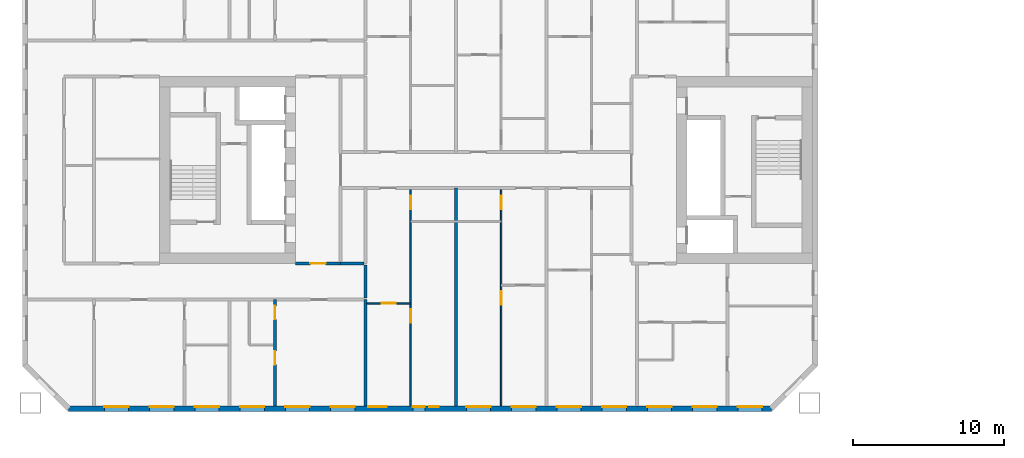
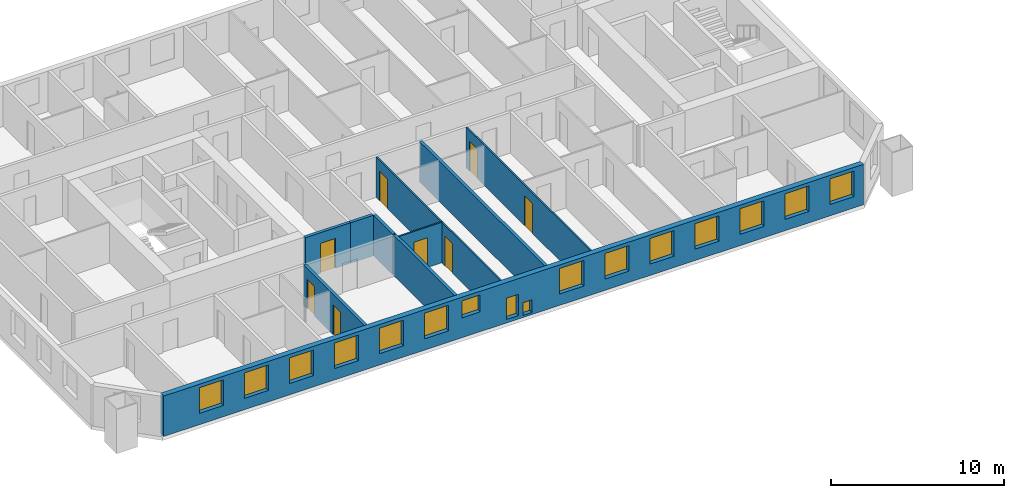
# One storey, part 3 of 16: 16 windows, 10 walls, 8 doors, 24 openings.
"""IFC4 building model written with IfcOpenShell, lengths in metres."""

from ifc_helpers import new_model, si_unit, direction, frame, frame_2d, origin, place, context, subcontext, project, spatial, rectangle, extrude, material, layer, layer_set, type_object, element, fill, save


model = new_model("IFC4")

# Units and contexts
model_context = context("Model", 3, precision=1e-05, world=origin(), true_north=direction((0.0, 1.0)))
body_context = subcontext(model_context, "Body", "Model", "MODEL_VIEW")
ifc_project = project(units=[si_unit("LENGTHUNIT", "METRE"), si_unit("AREAUNIT", "SQUARE_METRE"), si_unit("VOLUMEUNIT", "CUBIC_METRE"), si_unit("PLANEANGLEUNIT", "RADIAN"), si_unit("MASSUNIT", "GRAM", prefix="KILO")], contexts=[model_context])

# Site, building, storey
site_placement = place(None, origin())
site = spatial("IfcSite", under=ifc_project, at=site_placement, CompositionType="ELEMENT")
building_placement = place(site_placement, origin())
building = spatial("IfcBuilding", under=site, at=building_placement, Name="Tuart Gate Housing", CompositionType="ELEMENT")
storey_placement = place(building_placement, frame((0.0, 0.0, 87.10009765625)))
storey = spatial("IfcBuildingStorey", under=building, at=storey_placement, Name="L24", CompositionType="ELEMENT", Elevation=87.10009765625)

# Wall, openings, windows
ifc_material_1 = material(Name="Brick", Category="masonry")
ifc_layer_1 = layer(ifc_material_1, 0.360107421875)
ifc_layer_set_1 = layer_set([ifc_layer_1], Name="Brick pier and spandrel wall 360")
wall_type_1 = type_object("IfcWallType", Name="Brick pier and spandrel wall 360", PredefinedType="STANDARD", material=ifc_layer_set_1)
wall_1_placement = place(storey_placement, frame((26.32470703125, 54.179931640625, 0.0), z_axis=(0.0, 0.0, 1.0), x_axis=(1.0, 0.0, 0.0)))
wall_1 = element("IfcWall", 1, at=wall_1_placement, inside=storey, type_object=wall_type_1, Name="External wall A-S L24", PredefinedType="STANDARD", context=body_context, shape_type="SweptSolid", body=[
    extrude(rectangle(XDim=46.600830078125, YDim=0.360107421875, at=frame_2d((23.30029296875, 0.0))), origin(), (0.0, 0.0, 1.0), 2.849853515625),
])
opening_1_placement = place(wall_1_placement, frame((2.37548828125, 0.0, 0.800048828125)))
opening_1 = element("IfcOpeningElement", 2, at=opening_1_placement, cuts=wall_1, Name="Opening W1", PredefinedType="OPENING", context=body_context, shape_type="SweptSolid", body=[
    extrude(rectangle(XDim=1.60009765625, YDim=1.800048828125, at=frame_2d((0.800048828125, 0.89990234375))), frame((0.0, 0.18994140625, 0.0), z_axis=(0.0, -1.0, 0.0), x_axis=(1.0, 0.0, 0.0)), (0.0, 0.0, 1.0), 0.380126953125),
])
opening_2_placement = place(wall_1_placement, frame((5.37548828125, 0.0, 0.800048828125)))
opening_2 = element("IfcOpeningElement", 3, at=opening_2_placement, cuts=wall_1, Name="Opening W1", PredefinedType="OPENING", context=body_context, shape_type="SweptSolid", body=[
    extrude(rectangle(XDim=1.60009765625, YDim=1.800048828125, at=frame_2d((0.800048828125, 0.89990234375))), frame((0.0, 0.18994140625, 0.0), z_axis=(0.0, -1.0, 0.0), x_axis=(1.0, 0.0, 0.0)), (0.0, 0.0, 1.0), 0.380126953125),
])
opening_3_placement = place(wall_1_placement, frame((8.37548828125, 0.0, 0.800048828125)))
opening_3 = element("IfcOpeningElement", 4, at=opening_3_placement, cuts=wall_1, Name="Opening W1", PredefinedType="OPENING", context=body_context, shape_type="SweptSolid", body=[
    extrude(rectangle(XDim=1.60009765625, YDim=1.800048828125, at=frame_2d((0.800048828125, 0.89990234375))), frame((0.0, 0.18994140625, 0.0), z_axis=(0.0, -1.0, 0.0), x_axis=(1.0, 0.0, 0.0)), (0.0, 0.0, 1.0), 0.380126953125),
])
opening_4_placement = place(wall_1_placement, frame((11.37548828125, 0.0, 0.800048828125)))
opening_4 = element("IfcOpeningElement", 5, at=opening_4_placement, cuts=wall_1, Name="Opening W1", PredefinedType="OPENING", context=body_context, shape_type="SweptSolid", body=[
    extrude(rectangle(XDim=1.60009765625, YDim=1.800048828125, at=frame_2d((0.800048828125, 0.89990234375))), frame((0.0, 0.18994140625, 0.0), z_axis=(0.0, -1.0, 0.0), x_axis=(1.0, 0.0, 0.0)), (0.0, 0.0, 1.0), 0.380126953125),
])
opening_5_placement = place(wall_1_placement, frame((14.37548828125, 0.0, 0.800048828125)))
opening_5 = element("IfcOpeningElement", 6, at=opening_5_placement, cuts=wall_1, Name="Opening W1", PredefinedType="OPENING", context=body_context, shape_type="SweptSolid", body=[
    extrude(rectangle(XDim=1.60009765625, YDim=1.800048828125, at=frame_2d((0.800048828125, 0.89990234375))), frame((0.0, 0.18994140625, 0.0), z_axis=(0.0, -1.0, 0.0), x_axis=(1.0, 0.0, 0.0)), (0.0, 0.0, 1.0), 0.380126953125),
])
opening_6_placement = place(wall_1_placement, frame((17.37548828125, 0.0, 0.800048828125)))
opening_6 = element("IfcOpeningElement", 7, at=opening_6_placement, cuts=wall_1, Name="Opening W1", PredefinedType="OPENING", context=body_context, shape_type="SweptSolid", body=[
    extrude(rectangle(XDim=1.60009765625, YDim=1.800048828125, at=frame_2d((0.800048828125, 0.89990234375))), frame((0.0, 0.18994140625, 0.0), z_axis=(0.0, -1.0, 0.0), x_axis=(1.0, 0.0, 0.0)), (0.0, 0.0, 1.0), 0.380126953125),
])
opening_7_placement = place(wall_1_placement, frame((19.87548828125, 0.0, 1.39990234375)))
opening_7 = element("IfcOpeningElement", 8, at=opening_7_placement, cuts=wall_1, Name="Opening W1N", PredefinedType="OPENING", context=body_context, shape_type="SweptSolid", body=[
    extrude(rectangle(XDim=1.199951171875, YDim=1.199951171875, at=frame_2d((0.60009765625, 0.60009765625))), frame((0.0, 0.18994140625, 0.0), z_axis=(0.0, -1.0, 0.0), x_axis=(1.0, 0.0, 0.0)), (0.0, 0.0, 1.0), 0.380126953125),
])
opening_8_placement = place(wall_1_placement, frame((22.825439453125, 0.0, 0.25)))
opening_8 = element("IfcOpeningElement", 9, at=opening_8_placement, cuts=wall_1, Name="Opening W1J", PredefinedType="OPENING", context=body_context, shape_type="SweptSolid", body=[
    extrude(rectangle(XDim=0.800048828125, YDim=1.5, at=frame_2d((0.39990234375, 0.75))), frame((0.0, 0.18994140625, 0.0), z_axis=(0.0, -1.0, 0.0), x_axis=(1.0, 0.0, 0.0)), (0.0, 0.0, 1.0), 0.380126953125),
])
opening_9_placement = place(wall_1_placement, frame((26.37548828125, 0.0, 0.800048828125)))
opening_9 = element("IfcOpeningElement", 10, at=opening_9_placement, cuts=wall_1, Name="Opening W1", PredefinedType="OPENING", context=body_context, shape_type="SweptSolid", body=[
    extrude(rectangle(XDim=1.60009765625, YDim=1.800048828125, at=frame_2d((0.800048828125, 0.89990234375))), frame((0.0, 0.18994140625, 0.0), z_axis=(0.0, -1.0, 0.0), x_axis=(1.0, 0.0, 0.0)), (0.0, 0.0, 1.0), 0.380126953125),
])
opening_10_placement = place(wall_1_placement, frame((29.37548828125, 0.0, 0.800048828125)))
opening_10 = element("IfcOpeningElement", 11, at=opening_10_placement, cuts=wall_1, Name="Opening W1", PredefinedType="OPENING", context=body_context, shape_type="SweptSolid", body=[
    extrude(rectangle(XDim=1.60009765625, YDim=1.800048828125, at=frame_2d((0.800048828125, 0.89990234375))), frame((0.0, 0.18994140625, 0.0), z_axis=(0.0, -1.0, 0.0), x_axis=(1.0, 0.0, 0.0)), (0.0, 0.0, 1.0), 0.380126953125),
])
opening_11_placement = place(wall_1_placement, frame((32.37548828125, 0.0, 0.800048828125)))
opening_11 = element("IfcOpeningElement", 12, at=opening_11_placement, cuts=wall_1, Name="Opening W1", PredefinedType="OPENING", context=body_context, shape_type="SweptSolid", body=[
    extrude(rectangle(XDim=1.60009765625, YDim=1.800048828125, at=frame_2d((0.800048828125, 0.89990234375))), frame((0.0, 0.18994140625, 0.0), z_axis=(0.0, -1.0, 0.0), x_axis=(1.0, 0.0, 0.0)), (0.0, 0.0, 1.0), 0.380126953125),
])
opening_12_placement = place(wall_1_placement, frame((35.37548828125, 0.0, 0.800048828125)))
opening_12 = element("IfcOpeningElement", 13, at=opening_12_placement, cuts=wall_1, Name="Opening W1", PredefinedType="OPENING", context=body_context, shape_type="SweptSolid", body=[
    extrude(rectangle(XDim=1.60009765625, YDim=1.800048828125, at=frame_2d((0.800048828125, 0.89990234375))), frame((0.0, 0.18994140625, 0.0), z_axis=(0.0, -1.0, 0.0), x_axis=(1.0, 0.0, 0.0)), (0.0, 0.0, 1.0), 0.380126953125),
])
opening_13_placement = place(wall_1_placement, frame((38.37548828125, 0.0, 0.800048828125)))
opening_13 = element("IfcOpeningElement", 14, at=opening_13_placement, cuts=wall_1, Name="Opening W1", PredefinedType="OPENING", context=body_context, shape_type="SweptSolid", body=[
    extrude(rectangle(XDim=1.60009765625, YDim=1.800048828125, at=frame_2d((0.800048828125, 0.89990234375))), frame((0.0, 0.18994140625, 0.0), z_axis=(0.0, -1.0, 0.0), x_axis=(1.0, 0.0, 0.0)), (0.0, 0.0, 1.0), 0.380126953125),
])
opening_14_placement = place(wall_1_placement, frame((41.37548828125, 0.0, 0.800048828125)))
opening_14 = element("IfcOpeningElement", 15, at=opening_14_placement, cuts=wall_1, Name="Opening W1", PredefinedType="OPENING", context=body_context, shape_type="SweptSolid", body=[
    extrude(rectangle(XDim=1.60009765625, YDim=1.800048828125, at=frame_2d((0.800048828125, 0.89990234375))), frame((0.0, 0.18994140625, 0.0), z_axis=(0.0, -1.0, 0.0), x_axis=(1.0, 0.0, 0.0)), (0.0, 0.0, 1.0), 0.380126953125),
])
opening_15_placement = place(wall_1_placement, frame((44.37548828125, 0.0, 0.800048828125)))
opening_15 = element("IfcOpeningElement", 16, at=opening_15_placement, cuts=wall_1, Name="Opening W1", PredefinedType="OPENING", context=body_context, shape_type="SweptSolid", body=[
    extrude(rectangle(XDim=1.60009765625, YDim=1.800048828125, at=frame_2d((0.800048828125, 0.89990234375))), frame((0.0, 0.18994140625, 0.0), z_axis=(0.0, -1.0, 0.0), x_axis=(1.0, 0.0, 0.0)), (0.0, 0.0, 1.0), 0.380126953125),
])
opening_16_placement = place(wall_1_placement, frame((23.92529296875, 0.0, 0.14990234375)))
opening_16 = element("IfcOpeningElement", 17, at=opening_16_placement, cuts=wall_1, Name="Opening W1W", PredefinedType="OPENING", context=body_context, shape_type="SweptSolid", body=[
    extrude(rectangle(XDim=0.60009765625, YDim=0.89990234375, at=frame_2d((0.300048828125, 0.449951171875))), frame((0.0, 0.18994140625, 0.0), z_axis=(0.0, -1.0, 0.0), x_axis=(1.0, 0.0, 0.0)), (0.0, 0.0, 1.0), 0.380126953125),
])
ifc_material_2 = material(Name="Aluminium frame with clear glass", Category="aluminium")
window_type_1 = type_object("IfcWindowType", Name="Punched window 1200 x 1200", PartitioningType="SINGLE_PANEL", PredefinedType="WINDOW", material=ifc_material_2)
window_1_placement = place(opening_7_placement, origin())
window_1 = element("IfcWindow", 18, at=window_1_placement, inside=storey, type_object=window_type_1, Name="Window W1N", OverallHeight=1.199951171875, OverallWidth=1.199951171875, PartitioningType="SINGLE_PANEL", PredefinedType="WINDOW", context=body_context, shape_type="SweptSolid", body=[
    extrude(rectangle(XDim=1.199951171875, YDim=1.199951171875, at=frame_2d((0.60009765625, 0.60009765625))), frame((0.0, 0.150146484375, 0.0), z_axis=(0.0, -1.0, 0.0), x_axis=(1.0, 0.0, 0.0)), (0.0, 0.0, 1.0), 0.06005859375),
])
fill(opening_7, window_1)
ifc_material_3 = material(Name="Aluminium frame with clear glass", Category="aluminium")
window_type_2 = type_object("IfcWindowType", Name="Punched window 1600 x 1800", PartitioningType="SINGLE_PANEL", PredefinedType="WINDOW", material=ifc_material_3)
window_2_placement = place(opening_1_placement, origin())
window_2 = element("IfcWindow", 19, at=window_2_placement, inside=storey, type_object=window_type_2, Name="Window W1", OverallHeight=1.800048828125, OverallWidth=1.60009765625, PartitioningType="SINGLE_PANEL", PredefinedType="WINDOW", context=body_context, shape_type="SweptSolid", body=[
    extrude(rectangle(XDim=1.60009765625, YDim=1.800048828125, at=frame_2d((0.800048828125, 0.89990234375))), frame((0.0, 0.150146484375, 0.0), z_axis=(0.0, -1.0, 0.0), x_axis=(1.0, 0.0, 0.0)), (0.0, 0.0, 1.0), 0.06005859375),
])
fill(opening_1, window_2)
window_3_placement = place(opening_2_placement, origin())
window_3 = element("IfcWindow", 20, at=window_3_placement, inside=storey, type_object=window_type_2, Name="Window W1", OverallHeight=1.800048828125, OverallWidth=1.60009765625, PartitioningType="SINGLE_PANEL", PredefinedType="WINDOW", context=body_context, shape_type="SweptSolid", body=[
    extrude(rectangle(XDim=1.60009765625, YDim=1.800048828125, at=frame_2d((0.800048828125, 0.89990234375))), frame((0.0, 0.150146484375, 0.0), z_axis=(0.0, -1.0, 0.0), x_axis=(1.0, 0.0, 0.0)), (0.0, 0.0, 1.0), 0.06005859375),
])
fill(opening_2, window_3)
window_4_placement = place(opening_3_placement, origin())
window_4 = element("IfcWindow", 21, at=window_4_placement, inside=storey, type_object=window_type_2, Name="Window W1", OverallHeight=1.800048828125, OverallWidth=1.60009765625, PartitioningType="SINGLE_PANEL", PredefinedType="WINDOW", context=body_context, shape_type="SweptSolid", body=[
    extrude(rectangle(XDim=1.60009765625, YDim=1.800048828125, at=frame_2d((0.800048828125, 0.89990234375))), frame((0.0, 0.150146484375, 0.0), z_axis=(0.0, -1.0, 0.0), x_axis=(1.0, 0.0, 0.0)), (0.0, 0.0, 1.0), 0.06005859375),
])
fill(opening_3, window_4)
window_5_placement = place(opening_4_placement, origin())
window_5 = element("IfcWindow", 22, at=window_5_placement, inside=storey, type_object=window_type_2, Name="Window W1", OverallHeight=1.800048828125, OverallWidth=1.60009765625, PartitioningType="SINGLE_PANEL", PredefinedType="WINDOW", context=body_context, shape_type="SweptSolid", body=[
    extrude(rectangle(XDim=1.60009765625, YDim=1.800048828125, at=frame_2d((0.800048828125, 0.89990234375))), frame((0.0, 0.150146484375, 0.0), z_axis=(0.0, -1.0, 0.0), x_axis=(1.0, 0.0, 0.0)), (0.0, 0.0, 1.0), 0.06005859375),
])
fill(opening_4, window_5)
window_6_placement = place(opening_5_placement, origin())
window_6 = element("IfcWindow", 23, at=window_6_placement, inside=storey, type_object=window_type_2, Name="Window W1", OverallHeight=1.800048828125, OverallWidth=1.60009765625, PartitioningType="SINGLE_PANEL", PredefinedType="WINDOW", context=body_context, shape_type="SweptSolid", body=[
    extrude(rectangle(XDim=1.60009765625, YDim=1.800048828125, at=frame_2d((0.800048828125, 0.89990234375))), frame((0.0, 0.150146484375, 0.0), z_axis=(0.0, -1.0, 0.0), x_axis=(1.0, 0.0, 0.0)), (0.0, 0.0, 1.0), 0.06005859375),
])
fill(opening_5, window_6)
window_7_placement = place(opening_6_placement, origin())
window_7 = element("IfcWindow", 24, at=window_7_placement, inside=storey, type_object=window_type_2, Name="Window W1", OverallHeight=1.800048828125, OverallWidth=1.60009765625, PartitioningType="SINGLE_PANEL", PredefinedType="WINDOW", context=body_context, shape_type="SweptSolid", body=[
    extrude(rectangle(XDim=1.60009765625, YDim=1.800048828125, at=frame_2d((0.800048828125, 0.89990234375))), frame((0.0, 0.150146484375, 0.0), z_axis=(0.0, -1.0, 0.0), x_axis=(1.0, 0.0, 0.0)), (0.0, 0.0, 1.0), 0.06005859375),
])
fill(opening_6, window_7)
window_8_placement = place(opening_9_placement, origin())
window_8 = element("IfcWindow", 25, at=window_8_placement, inside=storey, type_object=window_type_2, Name="Window W1", OverallHeight=1.800048828125, OverallWidth=1.60009765625, PartitioningType="SINGLE_PANEL", PredefinedType="WINDOW", context=body_context, shape_type="SweptSolid", body=[
    extrude(rectangle(XDim=1.60009765625, YDim=1.800048828125, at=frame_2d((0.800048828125, 0.89990234375))), frame((0.0, 0.150146484375, 0.0), z_axis=(0.0, -1.0, 0.0), x_axis=(1.0, 0.0, 0.0)), (0.0, 0.0, 1.0), 0.06005859375),
])
fill(opening_9, window_8)
window_9_placement = place(opening_10_placement, origin())
window_9 = element("IfcWindow", 26, at=window_9_placement, inside=storey, type_object=window_type_2, Name="Window W1", OverallHeight=1.800048828125, OverallWidth=1.60009765625, PartitioningType="SINGLE_PANEL", PredefinedType="WINDOW", context=body_context, shape_type="SweptSolid", body=[
    extrude(rectangle(XDim=1.60009765625, YDim=1.800048828125, at=frame_2d((0.800048828125, 0.89990234375))), frame((0.0, 0.150146484375, 0.0), z_axis=(0.0, -1.0, 0.0), x_axis=(1.0, 0.0, 0.0)), (0.0, 0.0, 1.0), 0.06005859375),
])
fill(opening_10, window_9)
window_10_placement = place(opening_11_placement, origin())
window_10 = element("IfcWindow", 27, at=window_10_placement, inside=storey, type_object=window_type_2, Name="Window W1", OverallHeight=1.800048828125, OverallWidth=1.60009765625, PartitioningType="SINGLE_PANEL", PredefinedType="WINDOW", context=body_context, shape_type="SweptSolid", body=[
    extrude(rectangle(XDim=1.60009765625, YDim=1.800048828125, at=frame_2d((0.800048828125, 0.89990234375))), frame((0.0, 0.150146484375, 0.0), z_axis=(0.0, -1.0, 0.0), x_axis=(1.0, 0.0, 0.0)), (0.0, 0.0, 1.0), 0.06005859375),
])
fill(opening_11, window_10)
window_11_placement = place(opening_12_placement, origin())
window_11 = element("IfcWindow", 28, at=window_11_placement, inside=storey, type_object=window_type_2, Name="Window W1", OverallHeight=1.800048828125, OverallWidth=1.60009765625, PartitioningType="SINGLE_PANEL", PredefinedType="WINDOW", context=body_context, shape_type="SweptSolid", body=[
    extrude(rectangle(XDim=1.60009765625, YDim=1.800048828125, at=frame_2d((0.800048828125, 0.89990234375))), frame((0.0, 0.150146484375, 0.0), z_axis=(0.0, -1.0, 0.0), x_axis=(1.0, 0.0, 0.0)), (0.0, 0.0, 1.0), 0.06005859375),
])
fill(opening_12, window_11)
window_12_placement = place(opening_13_placement, origin())
window_12 = element("IfcWindow", 29, at=window_12_placement, inside=storey, type_object=window_type_2, Name="Window W1", OverallHeight=1.800048828125, OverallWidth=1.60009765625, PartitioningType="SINGLE_PANEL", PredefinedType="WINDOW", context=body_context, shape_type="SweptSolid", body=[
    extrude(rectangle(XDim=1.60009765625, YDim=1.800048828125, at=frame_2d((0.800048828125, 0.89990234375))), frame((0.0, 0.150146484375, 0.0), z_axis=(0.0, -1.0, 0.0), x_axis=(1.0, 0.0, 0.0)), (0.0, 0.0, 1.0), 0.06005859375),
])
fill(opening_13, window_12)
window_13_placement = place(opening_14_placement, origin())
window_13 = element("IfcWindow", 30, at=window_13_placement, inside=storey, type_object=window_type_2, Name="Window W1", OverallHeight=1.800048828125, OverallWidth=1.60009765625, PartitioningType="SINGLE_PANEL", PredefinedType="WINDOW", context=body_context, shape_type="SweptSolid", body=[
    extrude(rectangle(XDim=1.60009765625, YDim=1.800048828125, at=frame_2d((0.800048828125, 0.89990234375))), frame((0.0, 0.150146484375, 0.0), z_axis=(0.0, -1.0, 0.0), x_axis=(1.0, 0.0, 0.0)), (0.0, 0.0, 1.0), 0.06005859375),
])
fill(opening_14, window_13)
window_14_placement = place(opening_15_placement, origin())
window_14 = element("IfcWindow", 31, at=window_14_placement, inside=storey, type_object=window_type_2, Name="Window W1", OverallHeight=1.800048828125, OverallWidth=1.60009765625, PartitioningType="SINGLE_PANEL", PredefinedType="WINDOW", context=body_context, shape_type="SweptSolid", body=[
    extrude(rectangle(XDim=1.60009765625, YDim=1.800048828125, at=frame_2d((0.800048828125, 0.89990234375))), frame((0.0, 0.150146484375, 0.0), z_axis=(0.0, -1.0, 0.0), x_axis=(1.0, 0.0, 0.0)), (0.0, 0.0, 1.0), 0.06005859375),
])
fill(opening_15, window_14)
ifc_material_4 = material(Name="Aluminium frame with clear glass", Category="aluminium")
window_type_3 = type_object("IfcWindowType", Name="Punched window 600 x 900", PartitioningType="SINGLE_PANEL", PredefinedType="WINDOW", material=ifc_material_4)
window_15_placement = place(opening_16_placement, origin())
window_15 = element("IfcWindow", 32, at=window_15_placement, inside=storey, type_object=window_type_3, Name="Window W1W", OverallHeight=0.89990234375, OverallWidth=0.60009765625, PartitioningType="SINGLE_PANEL", PredefinedType="WINDOW", context=body_context, shape_type="SweptSolid", body=[
    extrude(rectangle(XDim=0.60009765625, YDim=0.89990234375, at=frame_2d((0.300048828125, 0.449951171875))), frame((0.0, 0.150146484375, 0.0), z_axis=(0.0, -1.0, 0.0), x_axis=(1.0, 0.0, 0.0)), (0.0, 0.0, 1.0), 0.06005859375),
])
fill(opening_16, window_15)
ifc_material_5 = material(Name="Aluminium frame with clear glass", Category="aluminium")
window_type_4 = type_object("IfcWindowType", Name="Punched window 800 x 1500", PartitioningType="SINGLE_PANEL", PredefinedType="WINDOW", material=ifc_material_5)
window_16_placement = place(opening_8_placement, origin())
window_16 = element("IfcWindow", 33, at=window_16_placement, inside=storey, type_object=window_type_4, Name="Window W1J", OverallHeight=1.5, OverallWidth=0.800048828125, PartitioningType="SINGLE_PANEL", PredefinedType="WINDOW", context=body_context, shape_type="SweptSolid", body=[
    extrude(rectangle(XDim=0.800048828125, YDim=1.5, at=frame_2d((0.39990234375, 0.75))), frame((0.0, 0.150146484375, 0.0), z_axis=(0.0, -1.0, 0.0), x_axis=(1.0, 0.0, 0.0)), (0.0, 0.0, 1.0), 0.06005859375),
])
fill(opening_8, window_16)

# Walls
ifc_material_6 = material(Name="Concrete masonry 15 MPa", Category="masonry")
ifc_layer_2 = layer(ifc_material_6, 0.199951171875)
ifc_layer_set_2 = layer_set([ifc_layer_2], Name="Corridor wall masonry 200")
wall_type_2 = type_object("IfcWallType", Name="Corridor wall masonry 200", PredefinedType="PARTITIONING", material=ifc_layer_set_2)
wall_2_placement = place(storey_placement, frame((44.360107421875, 63.800048828125, 0.0), z_axis=(0.0, 0.0, 1.0), x_axis=(1.0, 0.0, 0.0)))
element("IfcWall", 34, at=wall_2_placement, inside=storey, type_object=wall_type_2, Name="Corridor wall masonry 200", PredefinedType="PARTITIONING", context=body_context, shape_type="SweptSolid", body=[
    extrude(rectangle(XDim=1.539794921875, YDim=0.199951171875, at=frame_2d((0.77001953125, 0.0))), origin(), (0.0, 0.0, 1.0), 2.849853515625),
])
wall_3_placement = place(storey_placement, frame((46.0, 61.5, 0.0), z_axis=(0.0, 0.0, 1.0), x_axis=(0.0, 1.0, 0.0)))
element("IfcWall", 35, at=wall_3_placement, inside=storey, type_object=wall_type_2, Name="Corridor wall masonry 200", PredefinedType="PARTITIONING", context=body_context, shape_type="SweptSolid", body=[
    extrude(rectangle(XDim=2.199951171875, YDim=0.199951171875, at=frame_2d((1.10009765625, 0.0))), origin(), (0.0, 0.0, 1.0), 2.849853515625),
])

# Wall, opening, door
ifc_material_7 = material(Name="Concrete masonry 15 MPa", Category="masonry")
ifc_layer_3 = layer(ifc_material_7, 0.199951171875)
ifc_layer_set_3 = layer_set([ifc_layer_3], Name="Enclosure wall masonry 200")
wall_type_3 = type_object("IfcWallType", Name="Enclosure wall masonry 200", PredefinedType="PARTITIONING", material=ifc_layer_set_3)
wall_4_placement = place(storey_placement, frame((41.360107421875, 63.800048828125, 0.0), z_axis=(0.0, 0.0, 1.0), x_axis=(1.0, 0.0, 0.0)))
wall_4 = element("IfcWall", 36, at=wall_4_placement, inside=storey, type_object=wall_type_3, Name="Enclosure wall masonry 200", PredefinedType="PARTITIONING", context=body_context, shape_type="SweptSolid", body=[
    extrude(rectangle(XDim=3.0, YDim=0.199951171875, at=frame_2d((1.5, 0.0))), origin(), (0.0, 0.0, 1.0), 2.849853515625),
])
opening_17_placement = place(wall_4_placement, frame((1.0, 0.0, 0.0)))
opening_17 = element("IfcOpeningElement", 37, at=opening_17_placement, cuts=wall_4, Name="Opening D991", PredefinedType="OPENING", context=body_context, shape_type="SweptSolid", body=[
    extrude(rectangle(XDim=1.0, YDim=2.10009765625, at=frame_2d((0.5, 1.050048828125))), frame((0.0, 0.10986328125, 0.0), z_axis=(0.0, -1.0, 0.0), x_axis=(1.0, 0.0, 0.0)), (0.0, 0.0, 1.0), 0.219970703125),
])
ifc_material_8 = material(Name="Timber door leaf in steel frame", Category="steel")
door_type_1 = type_object("IfcDoorType", Name="Fire door 1000", OperationType="SINGLE_SWING_LEFT", PredefinedType="DOOR", material=ifc_material_8)
door_1_placement = place(opening_17_placement, frame((1.0, 0.0, 0.0), z_axis=(0.0, 0.0, 1.0), x_axis=(-1.0, 0.0, 0.0)))
door_1 = element("IfcDoor", 38, at=door_1_placement, inside=storey, type_object=door_type_1, Name="Fire door", OperationType="SINGLE_SWING_LEFT", OverallHeight=2.10009765625, OverallWidth=1.0, PredefinedType="DOOR", context=body_context, shape_type="SweptSolid", body=[
    extrude(rectangle(XDim=1.0, YDim=2.10009765625, at=frame_2d((0.5, 1.050048828125))), frame((0.0, 0.025146484375, 0.0), z_axis=(0.0, -1.0, 0.0), x_axis=(1.0, 0.0, 0.0)), (0.0, 0.0, 1.0), 0.050048828125),
])
fill(opening_17, door_1)

ifc_material_9 = material(Name="Gypsum board on steel studs", Category="steel")
ifc_layer_4 = layer(ifc_material_9, 0.10009765625)
ifc_layer_set_4 = layer_set([ifc_layer_4], Name="Partition 100")
wall_type_4 = type_object("IfcWallType", Name="Partition 100", PredefinedType="PARTITIONING", material=ifc_layer_set_4)
wall_5_placement = place(storey_placement, frame((46.10009765625, 61.159912109375, 0.0), z_axis=(0.0, 0.0, 1.0), x_axis=(1.0, 0.0, 0.0)))
wall_5 = element("IfcWall", 39, at=wall_5_placement, inside=storey, type_object=wall_type_4, Name="Partition 100", PredefinedType="PARTITIONING", context=body_context, shape_type="SweptSolid", body=[
    extrude(rectangle(XDim=2.89990234375, YDim=0.10009765625, at=frame_2d((1.449951171875, 0.0))), origin(), (0.0, 0.0, 1.0), 2.849853515625),
])
opening_18_placement = place(wall_5_placement, frame((1.0, 0.0, 0.0)))
opening_18 = element("IfcOpeningElement", 40, at=opening_18_placement, cuts=wall_5, Name="Opening D1003", PredefinedType="OPENING", context=body_context, shape_type="SweptSolid", body=[
    extrude(rectangle(XDim=0.89990234375, YDim=2.10009765625, at=frame_2d((0.449951171875, 1.050048828125))), frame((0.0, 0.06005859375, 0.0), z_axis=(0.0, -1.0, 0.0), x_axis=(1.0, 0.0, 0.0)), (0.0, 0.0, 1.0), 0.1201171875),
])
ifc_material_10 = material(Name="Timber door leaf in steel frame", Category="steel")
door_type_2 = type_object("IfcDoorType", Name="Internal door 900 RH", OperationType="SINGLE_SWING_RIGHT", PredefinedType="DOOR", material=ifc_material_10)
door_2_placement = place(opening_18_placement, origin())
door_2 = element("IfcDoor", 41, at=door_2_placement, inside=storey, type_object=door_type_2, Name="Internal door", OperationType="SINGLE_SWING_RIGHT", OverallHeight=2.10009765625, OverallWidth=0.89990234375, PredefinedType="DOOR", context=body_context, shape_type="SweptSolid", body=[
    extrude(rectangle(XDim=0.89990234375, YDim=2.10009765625, at=frame_2d((0.449951171875, 1.050048828125))), frame((0.0, 0.02490234375, 0.0), z_axis=(0.0, -1.0, 0.0), x_axis=(1.0, 0.0, 0.0)), (0.0, 0.0, 1.0), 0.050048828125),
])
fill(opening_18, door_2)

# Wall, openings, doors
wall_6_placement = place(storey_placement, frame((49.0, 54.360107421875, 0.0), z_axis=(0.0, 0.0, 1.0), x_axis=(0.0, 1.0, 0.0)))
wall_6 = element("IfcWall", 42, at=wall_6_placement, inside=storey, type_object=wall_type_4, Name="Partition 100", PredefinedType="PARTITIONING", context=body_context, shape_type="SweptSolid", body=[
    extrude(rectangle(XDim=14.33984375, YDim=0.10009765625, at=frame_2d((7.169921875, 0.0))), origin(), (0.0, 0.0, 1.0), 2.849853515625),
])
opening_19_placement = place(wall_6_placement, frame((5.5, 0.0, 0.0)))
opening_19 = element("IfcOpeningElement", 43, at=opening_19_placement, cuts=wall_6, Name="Opening D996", PredefinedType="OPENING", context=body_context, shape_type="SweptSolid", body=[
    extrude(rectangle(XDim=0.89990234375, YDim=2.10009765625, at=frame_2d((0.449951171875, 1.050048828125))), frame((0.0, 0.06005859375, 0.0), z_axis=(0.0, -1.0, 0.0), x_axis=(1.0, 0.0, 0.0)), (0.0, 0.0, 1.0), 0.1201171875),
])
opening_20_placement = place(wall_6_placement, frame((13.0400390625, 0.0, 0.0)))
opening_20 = element("IfcOpeningElement", 44, at=opening_20_placement, cuts=wall_6, Name="Opening D995", PredefinedType="OPENING", context=body_context, shape_type="SweptSolid", body=[
    extrude(rectangle(XDim=0.89990234375, YDim=2.10009765625, at=frame_2d((0.449951171875, 1.050048828125))), frame((0.0, 0.06005859375, 0.0), z_axis=(0.0, -1.0, 0.0), x_axis=(1.0, 0.0, 0.0)), (0.0, 0.0, 1.0), 0.1201171875),
])
ifc_material_11 = material(Name="Timber door leaf in steel frame", Category="steel")
door_type_3 = type_object("IfcDoorType", Name="Bathroom door 900", OperationType="SINGLE_SWING_LEFT", PredefinedType="DOOR", material=ifc_material_11)
door_3_placement = place(opening_20_placement, frame((0.89990234375, 0.0, 0.0), z_axis=(0.0, 0.0, 1.0), x_axis=(-1.0, 0.0, 0.0)))
door_3 = element("IfcDoor", 45, at=door_3_placement, inside=storey, type_object=door_type_3, Name="Bathroom door", OperationType="SINGLE_SWING_LEFT", OverallHeight=2.10009765625, OverallWidth=0.89990234375, PredefinedType="DOOR", context=body_context, shape_type="SweptSolid", body=[
    extrude(rectangle(XDim=0.89990234375, YDim=2.10009765625, at=frame_2d((0.449951171875, 1.050048828125))), frame((0.0, 0.025146484375, 0.0), z_axis=(0.0, -1.0, 0.0), x_axis=(1.0, 0.0, 0.0)), (0.0, 0.0, 1.0), 0.050048828125),
])
fill(opening_20, door_3)
door_4_placement = place(opening_19_placement, frame((0.89990234375, 0.0, 0.0), z_axis=(0.0, 0.0, 1.0), x_axis=(-1.0, 0.0, 0.0)))
door_4 = element("IfcDoor", 46, at=door_4_placement, inside=storey, type_object=door_type_2, Name="Internal door", OperationType="SINGLE_SWING_RIGHT", OverallHeight=2.10009765625, OverallWidth=0.89990234375, PredefinedType="DOOR", context=body_context, shape_type="SweptSolid", body=[
    extrude(rectangle(XDim=0.89990234375, YDim=2.10009765625, at=frame_2d((0.449951171875, 1.050048828125))), frame((0.0, 0.025146484375, 0.0), z_axis=(0.0, -1.0, 0.0), x_axis=(1.0, 0.0, 0.0)), (0.0, 0.0, 1.0), 0.050048828125),
])
fill(opening_19, door_4)

wall_7_placement = place(storey_placement, frame((55.0, 54.360107421875, 0.0), z_axis=(0.0, 0.0, 1.0), x_axis=(0.0, 1.0, 0.0)))
wall_7 = element("IfcWall", 47, at=wall_7_placement, inside=storey, type_object=wall_type_4, Name="Partition 100", PredefinedType="PARTITIONING", context=body_context, shape_type="SweptSolid", body=[
    extrude(rectangle(XDim=14.33984375, YDim=0.10009765625, at=frame_2d((7.169921875, 0.0))), origin(), (0.0, 0.0, 1.0), 2.849853515625),
])
opening_21_placement = place(wall_7_placement, frame((6.699951171875, 0.0, 0.0)))
opening_21 = element("IfcOpeningElement", 48, at=opening_21_placement, cuts=wall_7, Name="Opening D998", PredefinedType="OPENING", context=body_context, shape_type="SweptSolid", body=[
    extrude(rectangle(XDim=0.89990234375, YDim=2.10009765625, at=frame_2d((0.449951171875, 1.050048828125))), frame((0.0, 0.06005859375, 0.0), z_axis=(0.0, -1.0, 0.0), x_axis=(1.0, 0.0, 0.0)), (0.0, 0.0, 1.0), 0.1201171875),
])
opening_22_placement = place(wall_7_placement, frame((13.0400390625, 0.0, 0.0)))
opening_22 = element("IfcOpeningElement", 49, at=opening_22_placement, cuts=wall_7, Name="Opening D997", PredefinedType="OPENING", context=body_context, shape_type="SweptSolid", body=[
    extrude(rectangle(XDim=0.89990234375, YDim=2.10009765625, at=frame_2d((0.449951171875, 1.050048828125))), frame((0.0, 0.06005859375, 0.0), z_axis=(0.0, -1.0, 0.0), x_axis=(1.0, 0.0, 0.0)), (0.0, 0.0, 1.0), 0.1201171875),
])
ifc_material_12 = material(Name="Timber door leaf in steel frame", Category="steel")
door_type_4 = type_object("IfcDoorType", Name="Bathroom door 900 RH", OperationType="SINGLE_SWING_RIGHT", PredefinedType="DOOR", material=ifc_material_12)
door_5_placement = place(opening_22_placement, origin())
door_5 = element("IfcDoor", 50, at=door_5_placement, inside=storey, type_object=door_type_4, Name="Bathroom door", OperationType="SINGLE_SWING_RIGHT", OverallHeight=2.10009765625, OverallWidth=0.89990234375, PredefinedType="DOOR", context=body_context, shape_type="SweptSolid", body=[
    extrude(rectangle(XDim=0.89990234375, YDim=2.10009765625, at=frame_2d((0.449951171875, 1.050048828125))), frame((0.0, 0.02490234375, 0.0), z_axis=(0.0, -1.0, 0.0), x_axis=(1.0, 0.0, 0.0)), (0.0, 0.0, 1.0), 0.050048828125),
])
fill(opening_22, door_5)
door_6_placement = place(opening_21_placement, origin())
door_6 = element("IfcDoor", 51, at=door_6_placement, inside=storey, type_object=door_type_2, Name="Internal door", OperationType="SINGLE_SWING_RIGHT", OverallHeight=2.10009765625, OverallWidth=0.89990234375, PredefinedType="DOOR", context=body_context, shape_type="SweptSolid", body=[
    extrude(rectangle(XDim=0.89990234375, YDim=2.10009765625, at=frame_2d((0.449951171875, 1.050048828125))), frame((0.0, 0.02490234375, 0.0), z_axis=(0.0, -1.0, 0.0), x_axis=(1.0, 0.0, 0.0)), (0.0, 0.0, 1.0), 0.050048828125),
])
fill(opening_21, door_6)

ifc_material_13 = material(Name="Concrete C40", Category="concrete")
ifc_layer_5 = layer(ifc_material_13, 0.199951171875)
ifc_layer_set_5 = layer_set([ifc_layer_5], Name="Party wall concrete C40 200")
wall_type_5 = type_object("IfcWallType", Name="Party wall concrete C40 200", PredefinedType="SOLIDWALL", material=ifc_layer_set_5)
wall_8_placement = place(storey_placement, frame((40.0, 54.360107421875, 0.0), z_axis=(0.0, 0.0, 1.0), x_axis=(0.0, 1.0, 0.0)))
wall_8 = element("IfcWall", 52, at=wall_8_placement, inside=storey, type_object=wall_type_5, Name="Party wall concrete C40 200", PredefinedType="SOLIDWALL", context=body_context, shape_type="SweptSolid", body=[
    extrude(rectangle(XDim=7.039794921875, YDim=0.199951171875, at=frame_2d((3.52001953125, 0.0))), origin(), (0.0, 0.0, 1.0), 2.849853515625),
])
opening_23_placement = place(wall_8_placement, frame((2.739990234375, 0.0, 0.0)))
opening_23 = element("IfcOpeningElement", 53, at=opening_23_placement, cuts=wall_8, Name="Opening D1012", PredefinedType="OPENING", context=body_context, shape_type="SweptSolid", body=[
    extrude(rectangle(XDim=0.89990234375, YDim=2.10009765625, at=frame_2d((0.449951171875, 1.050048828125))), frame((0.0, 0.10986328125, 0.0), z_axis=(0.0, -1.0, 0.0), x_axis=(1.0, 0.0, 0.0)), (0.0, 0.0, 1.0), 0.219970703125),
])
opening_24_placement = place(wall_8_placement, frame((5.739990234375, 0.0, 0.0)))
opening_24 = element("IfcOpeningElement", 54, at=opening_24_placement, cuts=wall_8, Name="Opening D1011", PredefinedType="OPENING", context=body_context, shape_type="SweptSolid", body=[
    extrude(rectangle(XDim=0.89990234375, YDim=2.10009765625, at=frame_2d((0.449951171875, 1.050048828125))), frame((0.0, 0.10986328125, 0.0), z_axis=(0.0, -1.0, 0.0), x_axis=(1.0, 0.0, 0.0)), (0.0, 0.0, 1.0), 0.219970703125),
])
door_7_placement = place(opening_24_placement, origin())
door_7 = element("IfcDoor", 55, at=door_7_placement, inside=storey, type_object=door_type_4, Name="Bathroom door", OperationType="SINGLE_SWING_RIGHT", OverallHeight=2.10009765625, OverallWidth=0.89990234375, PredefinedType="DOOR", context=body_context, shape_type="SweptSolid", body=[
    extrude(rectangle(XDim=0.89990234375, YDim=2.10009765625, at=frame_2d((0.449951171875, 1.050048828125))), frame((0.0, 0.02490234375, 0.0), z_axis=(0.0, -1.0, 0.0), x_axis=(1.0, 0.0, 0.0)), (0.0, 0.0, 1.0), 0.050048828125),
])
fill(opening_24, door_7)
door_8_placement = place(opening_23_placement, origin())
door_8 = element("IfcDoor", 56, at=door_8_placement, inside=storey, type_object=door_type_2, Name="Internal door", OperationType="SINGLE_SWING_RIGHT", OverallHeight=2.10009765625, OverallWidth=0.89990234375, PredefinedType="DOOR", context=body_context, shape_type="SweptSolid", body=[
    extrude(rectangle(XDim=0.89990234375, YDim=2.10009765625, at=frame_2d((0.449951171875, 1.050048828125))), frame((0.0, 0.02490234375, 0.0), z_axis=(0.0, -1.0, 0.0), x_axis=(1.0, 0.0, 0.0)), (0.0, 0.0, 1.0), 0.050048828125),
])
fill(opening_23, door_8)

# Walls
wall_9_placement = place(storey_placement, frame((46.0, 54.360107421875, 0.0), z_axis=(0.0, 0.0, 1.0), x_axis=(0.0, 1.0, 0.0)))
element("IfcWall", 57, at=wall_9_placement, inside=storey, type_object=wall_type_5, Name="Party wall concrete C40 200", PredefinedType="SOLIDWALL", context=body_context, shape_type="SweptSolid", body=[
    extrude(rectangle(XDim=7.039794921875, YDim=0.199951171875, at=frame_2d((3.52001953125, 0.0))), origin(), (0.0, 0.0, 1.0), 2.849853515625),
])
wall_10_placement = place(storey_placement, frame((52.0, 54.360107421875, 0.0), z_axis=(0.0, 0.0, 1.0), x_axis=(0.0, 1.0, 0.0)))
element("IfcWall", 58, at=wall_10_placement, inside=storey, type_object=wall_type_5, Name="Party wall concrete C40 200", PredefinedType="SOLIDWALL", context=body_context, shape_type="SweptSolid", body=[
    extrude(rectangle(XDim=14.43994140625, YDim=0.199951171875, at=frame_2d((7.219970703125, 0.0))), origin(), (0.0, 0.0, 1.0), 2.849853515625),
])

save(model, "model.ifc")
